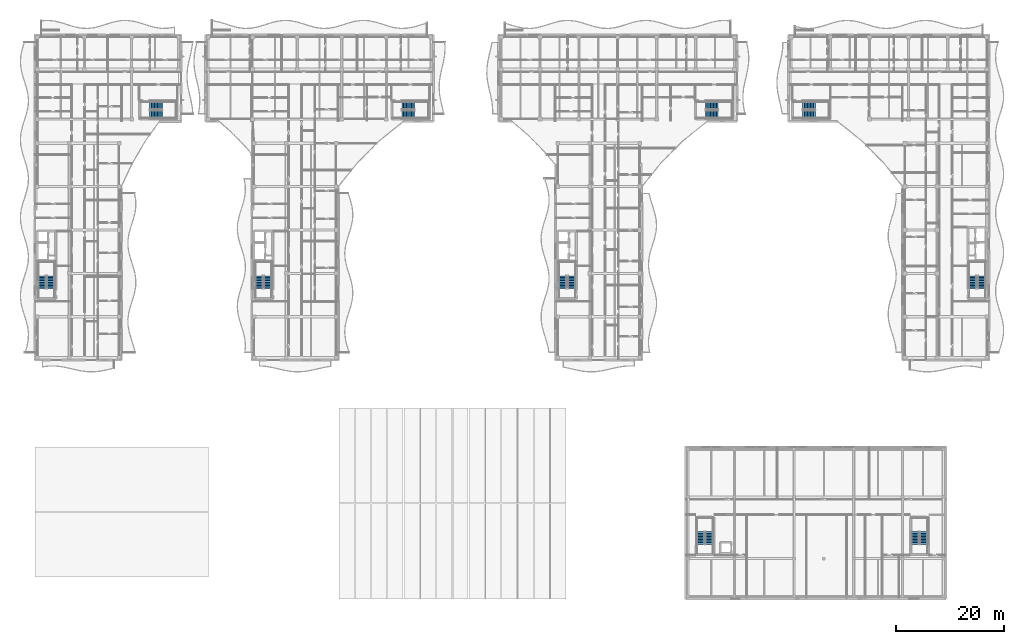
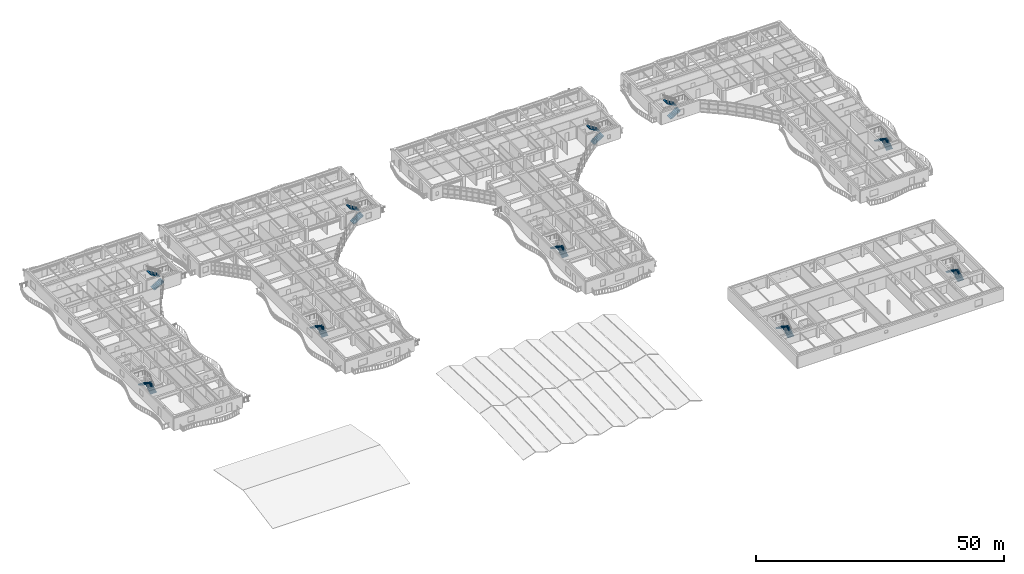
# One storey, part 64 of 89: 20 stair flights, 10 elements without a shape of their own.
"""IFC4 building model written with IfcOpenShell, lengths in metres."""

from ifc_helpers import new_model, si_unit, direction, frame, origin, place, context, subcontext, project, spatial, polyline, outline, extrude, material, type_object, element, aggregate, save


model = new_model("IFC4")

# Units and contexts
model_context = context("Model", 3, precision=1e-05, world=origin(), true_north=direction((0.0, 1.0)))
body_context = subcontext(model_context, "Body", "Model", "MODEL_VIEW")
ifc_project = project(units=[si_unit("LENGTHUNIT", "METRE"), si_unit("AREAUNIT", "SQUARE_METRE"), si_unit("VOLUMEUNIT", "CUBIC_METRE"), si_unit("PLANEANGLEUNIT", "RADIAN"), si_unit("MASSUNIT", "GRAM", prefix="KILO")], contexts=[model_context])

# Site, building, storey
site_placement = place(None, origin())
site = spatial("IfcSite", under=ifc_project, at=site_placement, CompositionType="ELEMENT")
building_placement = place(site_placement, origin())
building = spatial("IfcBuilding", under=site, at=building_placement, Name="Keldmere Railside Commons", CompositionType="ELEMENT")
storey_placement = place(building_placement, frame((0.0, 0.0, 7.360107421875)))
storey = spatial("IfcBuildingStorey", under=building, at=storey_placement, Name="L02", CompositionType="ELEMENT", Elevation=7.360107421875)

# Stair, stair flights
ifc_material = material(Name="Concrete H-30 (C30/37)", Category="concrete")
stair_type_1 = type_object("IfcStairType", Name="Basement Garage Dogleg Escape Stair 1450", PredefinedType="HALF_TURN_STAIR", material=ifc_material)
stair_1_placement = place(storey_placement, origin())
stair_1 = element("IfcStair", 1, at=stair_1_placement, inside=storey, type_object=stair_type_1, Name="L02 Block B Primary Escape Stair 1", PredefinedType="HALF_TURN_STAIR")
stair_flight_type_1 = type_object("IfcStairFlightType", Name="Basement Escape Stair Flight 1450", PredefinedType="STRAIGHT", material=ifc_material)
stair_flight_1_placement = place(storey_placement, frame((106.97509765625, 69.199951171875, 0.0), z_axis=(0.0, 0.0, 1.0), x_axis=(0.0, 1.0, 0.0)))
stair_flight_1 = element("IfcStairFlight", 2, at=stair_flight_1_placement, type_object=stair_flight_type_1, Name="ST-B1 flight 1", NumberOfRisers=9, NumberOfTreads=8, PredefinedType="STRAIGHT", RiserHeight=0.177777778, TreadLength=0.29, context=body_context, shape_type="SweptSolid", body=[
    extrude(outline(polyline([(0.0, 0.0), (0.0, 0.177734375), (0.2900390625, 0.177734375), (0.2900390625, 0.35546875), (0.580078125, 0.35546875), (0.580078125, 0.533447265625), (0.8701171875, 0.533447265625), (0.8701171875, 0.711181640625), (1.159912109375, 0.711181640625), (1.159912109375, 0.888916015625), (1.449951171875, 0.888916015625), (1.449951171875, 1.066650390625), (1.739990234375, 1.066650390625), (1.739990234375, 1.244384765625), (2.030029296875, 1.244384765625), (2.030029296875, 1.422119140625), (2.320068359375, 1.422119140625), (2.320068359375, 1.60009765625), (2.320068359375, 1.211181640625), (0.34423828125, 0.0), (0.0, 0.0)])), frame((0.0, 0.72509765625, 0.0), z_axis=(0.0, -1.0, 0.0), x_axis=(1.0, 0.0, 0.0)), (0.0, 0.0, 1.0), 1.449951171875),
])
stair_flight_2_placement = place(storey_placement, frame((105.375, 71.52001953125, 1.599853515625), z_axis=(0.0, 0.0, 1.0), x_axis=(0.0, -1.0, 0.0)))
stair_flight_2 = element("IfcStairFlight", 3, at=stair_flight_2_placement, type_object=stair_flight_type_1, Name="ST-B1 flight 2", NumberOfRisers=9, NumberOfTreads=8, PredefinedType="STRAIGHT", RiserHeight=0.177777778, TreadLength=0.29, context=body_context, shape_type="SweptSolid", body=[
    extrude(outline(polyline([(0.0, 0.0), (0.0, 0.177734375), (0.2900390625, 0.177734375), (0.2900390625, 0.35546875), (0.580078125, 0.35546875), (0.580078125, 0.533447265625), (0.8701171875, 0.533447265625), (0.8701171875, 0.711181640625), (1.159912109375, 0.711181640625), (1.159912109375, 0.888916015625), (1.449951171875, 0.888916015625), (1.449951171875, 1.066650390625), (1.739990234375, 1.066650390625), (1.739990234375, 1.244384765625), (2.030029296875, 1.244384765625), (2.030029296875, 1.422119140625), (2.320068359375, 1.422119140625), (2.320068359375, 1.60009765625), (2.320068359375, 1.211181640625), (0.34423828125, 0.0), (0.0, 0.0)])), frame((0.0, 0.72509765625, 0.0), z_axis=(0.0, -1.0, 0.0), x_axis=(1.0, 0.0, 0.0)), (0.0, 0.0, 1.0), 1.449951171875),
])
aggregate(stair_1, [stair_flight_1, stair_flight_2])

stair_2_placement = place(storey_placement, origin())
stair_2 = element("IfcStair", 4, at=stair_2_placement, inside=storey, type_object=stair_type_1, Name="L02 Block B Secondary Escape Stair 2", PredefinedType="HALF_TURN_STAIR")
stair_flight_3_placement = place(storey_placement, frame((131.699951171875, 101.324951171875, 0.0), z_axis=(0.0, 0.0, 1.0), x_axis=(1.0, 0.0, 0.0)))
stair_flight_3 = element("IfcStairFlight", 5, at=stair_flight_3_placement, type_object=stair_flight_type_1, Name="ST-B2 flight 1", NumberOfRisers=9, NumberOfTreads=8, PredefinedType="STRAIGHT", RiserHeight=0.177777778, TreadLength=0.29, context=body_context, shape_type="SweptSolid", body=[
    extrude(outline(polyline([(0.0, 0.0), (0.0, 0.177734375), (0.2900390625, 0.177734375), (0.2900390625, 0.35546875), (0.580078125, 0.35546875), (0.580078125, 0.533447265625), (0.8701171875, 0.533447265625), (0.8701171875, 0.711181640625), (1.159912109375, 0.711181640625), (1.159912109375, 0.888916015625), (1.449951171875, 0.888916015625), (1.449951171875, 1.066650390625), (1.739990234375, 1.066650390625), (1.739990234375, 1.244384765625), (2.030029296875, 1.244384765625), (2.030029296875, 1.422119140625), (2.320068359375, 1.422119140625), (2.320068359375, 1.60009765625), (2.320068359375, 1.211181640625), (0.34423828125, 0.0), (0.0, 0.0)])), frame((0.0, 0.72509765625, 0.0), z_axis=(0.0, -1.0, 0.0), x_axis=(1.0, 0.0, 0.0)), (0.0, 0.0, 1.0), 1.449951171875),
])
stair_flight_4_placement = place(storey_placement, frame((134.02001953125, 102.925048828125, 1.599853515625), z_axis=(0.0, 0.0, 1.0), x_axis=(-1.0, 0.0, 0.0)))
stair_flight_4 = element("IfcStairFlight", 6, at=stair_flight_4_placement, type_object=stair_flight_type_1, Name="ST-B2 flight 2", NumberOfRisers=9, NumberOfTreads=8, PredefinedType="STRAIGHT", RiserHeight=0.177777778, TreadLength=0.29, context=body_context, shape_type="SweptSolid", body=[
    extrude(outline(polyline([(0.0, 0.0), (0.0, 0.177734375), (0.2900390625, 0.177734375), (0.2900390625, 0.35546875), (0.580078125, 0.35546875), (0.580078125, 0.533447265625), (0.8701171875, 0.533447265625), (0.8701171875, 0.711181640625), (1.159912109375, 0.711181640625), (1.159912109375, 0.888916015625), (1.449951171875, 0.888916015625), (1.449951171875, 1.066650390625), (1.739990234375, 1.066650390625), (1.739990234375, 1.244384765625), (2.030029296875, 1.244384765625), (2.030029296875, 1.422119140625), (2.320068359375, 1.422119140625), (2.320068359375, 1.60009765625), (2.320068359375, 1.211181640625), (0.34423828125, 0.0), (0.0, 0.0)])), frame((0.0, 0.72509765625, 0.0), z_axis=(0.0, -1.0, 0.0), x_axis=(1.0, 0.0, 0.0)), (0.0, 0.0, 1.0), 1.449951171875),
])
aggregate(stair_2, [stair_flight_3, stair_flight_4])

stair_type_2 = type_object("IfcStairType", Name="Market Arcade Public Dogleg Stair 1420", PredefinedType="HALF_TURN_STAIR", material=ifc_material)
stair_3_placement = place(storey_placement, origin())
stair_3 = element("IfcStair", 7, at=stair_3_placement, inside=storey, type_object=stair_type_2, Name="L02 Market Arcade Escape Stair ST-M1", PredefinedType="HALF_TURN_STAIR")
stair_flight_type_2 = type_object("IfcStairFlightType", Name="Market Arcade Stair Flight 1420", PredefinedType="STRAIGHT", material=ifc_material)
stair_flight_5_placement = place(storey_placement, frame((132.340087890625, 22.050048828125, 0.0), z_axis=(0.0, 0.0, 1.0), x_axis=(0.0, 1.0, 0.0)))
stair_flight_5 = element("IfcStairFlight", 8, at=stair_flight_5_placement, type_object=stair_flight_type_2, Name="ST-M1 flight 1", NumberOfRisers=9, NumberOfTreads=8, PredefinedType="STRAIGHT", RiserHeight=0.177777778, TreadLength=0.29, context=body_context, shape_type="SweptSolid", body=[
    extrude(outline(polyline([(0.0, 0.0), (0.0, 0.177734375), (0.2900390625, 0.177734375), (0.2900390625, 0.35546875), (0.580078125, 0.35546875), (0.580078125, 0.533447265625), (0.8701171875, 0.533447265625), (0.8701171875, 0.711181640625), (1.159912109375, 0.711181640625), (1.159912109375, 0.888916015625), (1.449951171875, 0.888916015625), (1.449951171875, 1.066650390625), (1.739990234375, 1.066650390625), (1.739990234375, 1.244384765625), (2.030029296875, 1.244384765625), (2.030029296875, 1.422119140625), (2.320068359375, 1.422119140625), (2.320068359375, 1.60009765625), (2.320068359375, 1.211181640625), (0.34423828125, 0.0), (0.0, 0.0)])), frame((0.0, 0.7099609375, 0.0), z_axis=(0.0, -1.0, 0.0), x_axis=(1.0, 0.0, 0.0)), (0.0, 0.0, 1.0), 1.419921875),
])
stair_flight_6_placement = place(storey_placement, frame((130.77001953125, 24.3701171875, 1.599853515625), z_axis=(0.0, 0.0, 1.0), x_axis=(0.0, -1.0, 0.0)))
stair_flight_6 = element("IfcStairFlight", 9, at=stair_flight_6_placement, type_object=stair_flight_type_2, Name="ST-M1 flight 2", NumberOfRisers=9, NumberOfTreads=8, PredefinedType="STRAIGHT", RiserHeight=0.177777778, TreadLength=0.29, context=body_context, shape_type="SweptSolid", body=[
    extrude(outline(polyline([(0.0, 0.0), (0.0, 0.177734375), (0.2900390625, 0.177734375), (0.2900390625, 0.35546875), (0.580078125, 0.35546875), (0.580078125, 0.533447265625), (0.8701171875, 0.533447265625), (0.8701171875, 0.711181640625), (1.159912109375, 0.711181640625), (1.159912109375, 0.888916015625), (1.449951171875, 0.888916015625), (1.449951171875, 1.066650390625), (1.739990234375, 1.066650390625), (1.739990234375, 1.244384765625), (2.030029296875, 1.244384765625), (2.030029296875, 1.422119140625), (2.320068359375, 1.422119140625), (2.320068359375, 1.60009765625), (2.320068359375, 1.211181640625), (0.34423828125, 0.0), (0.0, 0.0)])), frame((0.0, 0.7099609375, 0.0), z_axis=(0.0, -1.0, 0.0), x_axis=(1.0, 0.0, 0.0)), (0.0, 0.0, 1.0), 1.419921875),
])
aggregate(stair_3, [stair_flight_5, stair_flight_6])

stair_4_placement = place(storey_placement, origin())
stair_4 = element("IfcStair", 10, at=stair_4_placement, inside=storey, type_object=stair_type_2, Name="L02 Market Arcade Escape Stair ST-M2", PredefinedType="HALF_TURN_STAIR")
stair_flight_7_placement = place(storey_placement, frame((171.93994140625, 22.050048828125, 0.0), z_axis=(0.0, 0.0, 1.0), x_axis=(0.0, 1.0, 0.0)))
stair_flight_7 = element("IfcStairFlight", 11, at=stair_flight_7_placement, type_object=stair_flight_type_2, Name="ST-M2 flight 1", NumberOfRisers=9, NumberOfTreads=8, PredefinedType="STRAIGHT", RiserHeight=0.177777778, TreadLength=0.29, context=body_context, shape_type="SweptSolid", body=[
    extrude(outline(polyline([(0.0, 0.0), (0.0, 0.177734375), (0.2900390625, 0.177734375), (0.2900390625, 0.35546875), (0.580078125, 0.35546875), (0.580078125, 0.533447265625), (0.8701171875, 0.533447265625), (0.8701171875, 0.711181640625), (1.159912109375, 0.711181640625), (1.159912109375, 0.888916015625), (1.449951171875, 0.888916015625), (1.449951171875, 1.066650390625), (1.739990234375, 1.066650390625), (1.739990234375, 1.244384765625), (2.030029296875, 1.244384765625), (2.030029296875, 1.422119140625), (2.320068359375, 1.422119140625), (2.320068359375, 1.60009765625), (2.320068359375, 1.211181640625), (0.34423828125, 0.0), (0.0, 0.0)])), frame((0.0, 0.7099609375, 0.0), z_axis=(0.0, -1.0, 0.0), x_axis=(1.0, 0.0, 0.0)), (0.0, 0.0, 1.0), 1.419921875),
])
stair_flight_8_placement = place(storey_placement, frame((170.3701171875, 24.3701171875, 1.599853515625), z_axis=(0.0, 0.0, 1.0), x_axis=(0.0, -1.0, 0.0)))
stair_flight_8 = element("IfcStairFlight", 12, at=stair_flight_8_placement, type_object=stair_flight_type_2, Name="ST-M2 flight 2", NumberOfRisers=9, NumberOfTreads=8, PredefinedType="STRAIGHT", RiserHeight=0.177777778, TreadLength=0.29, context=body_context, shape_type="SweptSolid", body=[
    extrude(outline(polyline([(0.0, 0.0), (0.0, 0.177734375), (0.2900390625, 0.177734375), (0.2900390625, 0.35546875), (0.580078125, 0.35546875), (0.580078125, 0.533447265625), (0.8701171875, 0.533447265625), (0.8701171875, 0.711181640625), (1.159912109375, 0.711181640625), (1.159912109375, 0.888916015625), (1.449951171875, 0.888916015625), (1.449951171875, 1.066650390625), (1.739990234375, 1.066650390625), (1.739990234375, 1.244384765625), (2.030029296875, 1.244384765625), (2.030029296875, 1.422119140625), (2.320068359375, 1.422119140625), (2.320068359375, 1.60009765625), (2.320068359375, 1.211181640625), (0.34423828125, 0.0), (0.0, 0.0)])), frame((0.0, 0.7099609375, 0.0), z_axis=(0.0, -1.0, 0.0), x_axis=(1.0, 0.0, 0.0)), (0.0, 0.0, 1.0), 1.419921875),
])
aggregate(stair_4, [stair_flight_7, stair_flight_8])

stair_type_3 = type_object("IfcStairType", Name="Residential Core Dogleg Stair 1450", PredefinedType="HALF_TURN_STAIR", material=ifc_material)
stair_5_placement = place(storey_placement, origin())
stair_5 = element("IfcStair", 13, at=stair_5_placement, inside=storey, type_object=stair_type_3, Name="L02 Block D Primary Escape Stair 1", PredefinedType="HALF_TURN_STAIR")
stair_flight_type_3 = type_object("IfcStairFlightType", Name="Residential Core Stair Flight 1450", PredefinedType="STRAIGHT", material=ifc_material)
stair_flight_9_placement = place(storey_placement, frame((10.97509765625, 69.199951171875, 0.0), z_axis=(0.0, 0.0, 1.0), x_axis=(0.0, 1.0, 0.0)))
stair_flight_9 = element("IfcStairFlight", 14, at=stair_flight_9_placement, type_object=stair_flight_type_3, Name="ST-D1 flight 1", NumberOfRisers=9, NumberOfTreads=8, PredefinedType="STRAIGHT", RiserHeight=0.177777778, TreadLength=0.29, context=body_context, shape_type="SweptSolid", body=[
    extrude(outline(polyline([(0.0, 0.0), (0.0, 0.177734375), (0.2900390625, 0.177734375), (0.2900390625, 0.35546875), (0.580078125, 0.35546875), (0.580078125, 0.533447265625), (0.8701171875, 0.533447265625), (0.8701171875, 0.711181640625), (1.159912109375, 0.711181640625), (1.159912109375, 0.888916015625), (1.449951171875, 0.888916015625), (1.449951171875, 1.066650390625), (1.739990234375, 1.066650390625), (1.739990234375, 1.244384765625), (2.030029296875, 1.244384765625), (2.030029296875, 1.422119140625), (2.320068359375, 1.422119140625), (2.320068359375, 1.60009765625), (2.320068359375, 1.211181640625), (0.34423828125, 0.0), (0.0, 0.0)])), frame((0.0, 0.72509765625, 0.0), z_axis=(0.0, -1.0, 0.0), x_axis=(1.0, 0.0, 0.0)), (0.0, 0.0, 1.0), 1.449951171875),
])
stair_flight_10_placement = place(storey_placement, frame((9.375, 71.52001953125, 1.599853515625), z_axis=(0.0, 0.0, 1.0), x_axis=(0.0, -1.0, 0.0)))
stair_flight_10 = element("IfcStairFlight", 15, at=stair_flight_10_placement, type_object=stair_flight_type_3, Name="ST-D1 flight 2", NumberOfRisers=9, NumberOfTreads=8, PredefinedType="STRAIGHT", RiserHeight=0.177777778, TreadLength=0.29, context=body_context, shape_type="SweptSolid", body=[
    extrude(outline(polyline([(0.0, 0.0), (0.0, 0.177734375), (0.2900390625, 0.177734375), (0.2900390625, 0.35546875), (0.580078125, 0.35546875), (0.580078125, 0.533447265625), (0.8701171875, 0.533447265625), (0.8701171875, 0.711181640625), (1.159912109375, 0.711181640625), (1.159912109375, 0.888916015625), (1.449951171875, 0.888916015625), (1.449951171875, 1.066650390625), (1.739990234375, 1.066650390625), (1.739990234375, 1.244384765625), (2.030029296875, 1.244384765625), (2.030029296875, 1.422119140625), (2.320068359375, 1.422119140625), (2.320068359375, 1.60009765625), (2.320068359375, 1.211181640625), (0.34423828125, 0.0), (0.0, 0.0)])), frame((0.0, 0.72509765625, 0.0), z_axis=(0.0, -1.0, 0.0), x_axis=(1.0, 0.0, 0.0)), (0.0, 0.0, 1.0), 1.449951171875),
])
aggregate(stair_5, [stair_flight_9, stair_flight_10])

stair_6_placement = place(storey_placement, origin())
stair_6 = element("IfcStair", 16, at=stair_6_placement, inside=storey, type_object=stair_type_3, Name="L02 Block D Secondary Escape Stair 2", PredefinedType="HALF_TURN_STAIR")
stair_flight_11_placement = place(storey_placement, frame((29.199951171875, 101.324951171875, 0.0), z_axis=(0.0, 0.0, 1.0), x_axis=(1.0, 0.0, 0.0)))
stair_flight_11 = element("IfcStairFlight", 17, at=stair_flight_11_placement, type_object=stair_flight_type_3, Name="ST-D2 flight 1", NumberOfRisers=9, NumberOfTreads=8, PredefinedType="STRAIGHT", RiserHeight=0.177777778, TreadLength=0.29, context=body_context, shape_type="SweptSolid", body=[
    extrude(outline(polyline([(0.0, 0.0), (0.0, 0.177734375), (0.2900390625, 0.177734375), (0.2900390625, 0.35546875), (0.580078125, 0.35546875), (0.580078125, 0.533447265625), (0.8701171875, 0.533447265625), (0.8701171875, 0.711181640625), (1.159912109375, 0.711181640625), (1.159912109375, 0.888916015625), (1.449951171875, 0.888916015625), (1.449951171875, 1.066650390625), (1.739990234375, 1.066650390625), (1.739990234375, 1.244384765625), (2.030029296875, 1.244384765625), (2.030029296875, 1.422119140625), (2.320068359375, 1.422119140625), (2.320068359375, 1.60009765625), (2.320068359375, 1.211181640625), (0.34423828125, 0.0), (0.0, 0.0)])), frame((0.0, 0.72509765625, 0.0), z_axis=(0.0, -1.0, 0.0), x_axis=(1.0, 0.0, 0.0)), (0.0, 0.0, 1.0), 1.449951171875),
])
stair_flight_12_placement = place(storey_placement, frame((31.52001953125, 102.925048828125, 1.599853515625), z_axis=(0.0, 0.0, 1.0), x_axis=(-1.0, 0.0, 0.0)))
stair_flight_12 = element("IfcStairFlight", 18, at=stair_flight_12_placement, type_object=stair_flight_type_3, Name="ST-D2 flight 2", NumberOfRisers=9, NumberOfTreads=8, PredefinedType="STRAIGHT", RiserHeight=0.177777778, TreadLength=0.29, context=body_context, shape_type="SweptSolid", body=[
    extrude(outline(polyline([(0.0, 0.0), (0.0, 0.177734375), (0.2900390625, 0.177734375), (0.2900390625, 0.35546875), (0.580078125, 0.35546875), (0.580078125, 0.533447265625), (0.8701171875, 0.533447265625), (0.8701171875, 0.711181640625), (1.159912109375, 0.711181640625), (1.159912109375, 0.888916015625), (1.449951171875, 0.888916015625), (1.449951171875, 1.066650390625), (1.739990234375, 1.066650390625), (1.739990234375, 1.244384765625), (2.030029296875, 1.244384765625), (2.030029296875, 1.422119140625), (2.320068359375, 1.422119140625), (2.320068359375, 1.60009765625), (2.320068359375, 1.211181640625), (0.34423828125, 0.0), (0.0, 0.0)])), frame((0.0, 0.72509765625, 0.0), z_axis=(0.0, -1.0, 0.0), x_axis=(1.0, 0.0, 0.0)), (0.0, 0.0, 1.0), 1.449951171875),
])
aggregate(stair_6, [stair_flight_11, stair_flight_12])

stair_7_placement = place(storey_placement, origin())
stair_7 = element("IfcStair", 19, at=stair_7_placement, inside=storey, type_object=stair_type_3, Name="L02 Block C Primary Escape Stair 1", PredefinedType="HALF_TURN_STAIR")
stair_flight_13_placement = place(storey_placement, frame((50.97509765625, 69.199951171875, 0.0), z_axis=(0.0, 0.0, 1.0), x_axis=(0.0, 1.0, 0.0)))
stair_flight_13 = element("IfcStairFlight", 20, at=stair_flight_13_placement, type_object=stair_flight_type_3, Name="ST-C1 flight 1", NumberOfRisers=9, NumberOfTreads=8, PredefinedType="STRAIGHT", RiserHeight=0.177777778, TreadLength=0.29, context=body_context, shape_type="SweptSolid", body=[
    extrude(outline(polyline([(0.0, 0.0), (0.0, 0.177734375), (0.2900390625, 0.177734375), (0.2900390625, 0.35546875), (0.580078125, 0.35546875), (0.580078125, 0.533447265625), (0.8701171875, 0.533447265625), (0.8701171875, 0.711181640625), (1.159912109375, 0.711181640625), (1.159912109375, 0.888916015625), (1.449951171875, 0.888916015625), (1.449951171875, 1.066650390625), (1.739990234375, 1.066650390625), (1.739990234375, 1.244384765625), (2.030029296875, 1.244384765625), (2.030029296875, 1.422119140625), (2.320068359375, 1.422119140625), (2.320068359375, 1.60009765625), (2.320068359375, 1.211181640625), (0.34423828125, 0.0), (0.0, 0.0)])), frame((0.0, 0.72509765625, 0.0), z_axis=(0.0, -1.0, 0.0), x_axis=(1.0, 0.0, 0.0)), (0.0, 0.0, 1.0), 1.449951171875),
])
stair_flight_14_placement = place(storey_placement, frame((49.375, 71.52001953125, 1.599853515625), z_axis=(0.0, 0.0, 1.0), x_axis=(0.0, -1.0, 0.0)))
stair_flight_14 = element("IfcStairFlight", 21, at=stair_flight_14_placement, type_object=stair_flight_type_3, Name="ST-C1 flight 2", NumberOfRisers=9, NumberOfTreads=8, PredefinedType="STRAIGHT", RiserHeight=0.177777778, TreadLength=0.29, context=body_context, shape_type="SweptSolid", body=[
    extrude(outline(polyline([(0.0, 0.0), (0.0, 0.177734375), (0.2900390625, 0.177734375), (0.2900390625, 0.35546875), (0.580078125, 0.35546875), (0.580078125, 0.533447265625), (0.8701171875, 0.533447265625), (0.8701171875, 0.711181640625), (1.159912109375, 0.711181640625), (1.159912109375, 0.888916015625), (1.449951171875, 0.888916015625), (1.449951171875, 1.066650390625), (1.739990234375, 1.066650390625), (1.739990234375, 1.244384765625), (2.030029296875, 1.244384765625), (2.030029296875, 1.422119140625), (2.320068359375, 1.422119140625), (2.320068359375, 1.60009765625), (2.320068359375, 1.211181640625), (0.34423828125, 0.0), (0.0, 0.0)])), frame((0.0, 0.72509765625, 0.0), z_axis=(0.0, -1.0, 0.0), x_axis=(1.0, 0.0, 0.0)), (0.0, 0.0, 1.0), 1.449951171875),
])
aggregate(stair_7, [stair_flight_13, stair_flight_14])

stair_8_placement = place(storey_placement, origin())
stair_8 = element("IfcStair", 22, at=stair_8_placement, inside=storey, type_object=stair_type_3, Name="L02 Block C Secondary Escape Stair 2", PredefinedType="HALF_TURN_STAIR")
stair_flight_15_placement = place(storey_placement, frame((75.699951171875, 101.324951171875, 0.0), z_axis=(0.0, 0.0, 1.0), x_axis=(1.0, 0.0, 0.0)))
stair_flight_15 = element("IfcStairFlight", 23, at=stair_flight_15_placement, type_object=stair_flight_type_3, Name="ST-C2 flight 1", NumberOfRisers=9, NumberOfTreads=8, PredefinedType="STRAIGHT", RiserHeight=0.177777778, TreadLength=0.29, context=body_context, shape_type="SweptSolid", body=[
    extrude(outline(polyline([(0.0, 0.0), (0.0, 0.177734375), (0.2900390625, 0.177734375), (0.2900390625, 0.35546875), (0.580078125, 0.35546875), (0.580078125, 0.533447265625), (0.8701171875, 0.533447265625), (0.8701171875, 0.711181640625), (1.159912109375, 0.711181640625), (1.159912109375, 0.888916015625), (1.449951171875, 0.888916015625), (1.449951171875, 1.066650390625), (1.739990234375, 1.066650390625), (1.739990234375, 1.244384765625), (2.030029296875, 1.244384765625), (2.030029296875, 1.422119140625), (2.320068359375, 1.422119140625), (2.320068359375, 1.60009765625), (2.320068359375, 1.211181640625), (0.34423828125, 0.0), (0.0, 0.0)])), frame((0.0, 0.72509765625, 0.0), z_axis=(0.0, -1.0, 0.0), x_axis=(1.0, 0.0, 0.0)), (0.0, 0.0, 1.0), 1.449951171875),
])
stair_flight_16_placement = place(storey_placement, frame((78.02001953125, 102.925048828125, 1.599853515625), z_axis=(0.0, 0.0, 1.0), x_axis=(-1.0, 0.0, 0.0)))
stair_flight_16 = element("IfcStairFlight", 24, at=stair_flight_16_placement, type_object=stair_flight_type_3, Name="ST-C2 flight 2", NumberOfRisers=9, NumberOfTreads=8, PredefinedType="STRAIGHT", RiserHeight=0.177777778, TreadLength=0.29, context=body_context, shape_type="SweptSolid", body=[
    extrude(outline(polyline([(0.0, 0.0), (0.0, 0.177734375), (0.2900390625, 0.177734375), (0.2900390625, 0.35546875), (0.580078125, 0.35546875), (0.580078125, 0.533447265625), (0.8701171875, 0.533447265625), (0.8701171875, 0.711181640625), (1.159912109375, 0.711181640625), (1.159912109375, 0.888916015625), (1.449951171875, 0.888916015625), (1.449951171875, 1.066650390625), (1.739990234375, 1.066650390625), (1.739990234375, 1.244384765625), (2.030029296875, 1.244384765625), (2.030029296875, 1.422119140625), (2.320068359375, 1.422119140625), (2.320068359375, 1.60009765625), (2.320068359375, 1.211181640625), (0.34423828125, 0.0), (0.0, 0.0)])), frame((0.0, 0.72509765625, 0.0), z_axis=(0.0, -1.0, 0.0), x_axis=(1.0, 0.0, 0.0)), (0.0, 0.0, 1.0), 1.449951171875),
])
aggregate(stair_8, [stair_flight_15, stair_flight_16])

stair_9_placement = place(storey_placement, origin())
stair_9 = element("IfcStair", 25, at=stair_9_placement, inside=storey, type_object=stair_type_3, Name="L02 Block A Primary Escape Stair 1", PredefinedType="HALF_TURN_STAIR")
stair_flight_17_placement = place(storey_placement, frame((182.574951171875, 69.199951171875, 0.0), z_axis=(0.0, 0.0, 1.0), x_axis=(0.0, 1.0, 0.0)))
stair_flight_17 = element("IfcStairFlight", 26, at=stair_flight_17_placement, type_object=stair_flight_type_3, Name="ST-A1 flight 1", NumberOfRisers=9, NumberOfTreads=8, PredefinedType="STRAIGHT", RiserHeight=0.177777778, TreadLength=0.29, context=body_context, shape_type="SweptSolid", body=[
    extrude(outline(polyline([(0.0, 0.0), (0.0, 0.177734375), (0.2900390625, 0.177734375), (0.2900390625, 0.35546875), (0.580078125, 0.35546875), (0.580078125, 0.533447265625), (0.8701171875, 0.533447265625), (0.8701171875, 0.711181640625), (1.159912109375, 0.711181640625), (1.159912109375, 0.888916015625), (1.449951171875, 0.888916015625), (1.449951171875, 1.066650390625), (1.739990234375, 1.066650390625), (1.739990234375, 1.244384765625), (2.030029296875, 1.244384765625), (2.030029296875, 1.422119140625), (2.320068359375, 1.422119140625), (2.320068359375, 1.60009765625), (2.320068359375, 1.211181640625), (0.34423828125, 0.0), (0.0, 0.0)])), frame((0.0, 0.72509765625, 0.0), z_axis=(0.0, -1.0, 0.0), x_axis=(1.0, 0.0, 0.0)), (0.0, 0.0, 1.0), 1.449951171875),
])
stair_flight_18_placement = place(storey_placement, frame((180.97509765625, 71.52001953125, 1.599853515625), z_axis=(0.0, 0.0, 1.0), x_axis=(0.0, -1.0, 0.0)))
stair_flight_18 = element("IfcStairFlight", 27, at=stair_flight_18_placement, type_object=stair_flight_type_3, Name="ST-A1 flight 2", NumberOfRisers=9, NumberOfTreads=8, PredefinedType="STRAIGHT", RiserHeight=0.177777778, TreadLength=0.29, context=body_context, shape_type="SweptSolid", body=[
    extrude(outline(polyline([(0.0, 0.0), (0.0, 0.177734375), (0.2900390625, 0.177734375), (0.2900390625, 0.35546875), (0.580078125, 0.35546875), (0.580078125, 0.533447265625), (0.8701171875, 0.533447265625), (0.8701171875, 0.711181640625), (1.159912109375, 0.711181640625), (1.159912109375, 0.888916015625), (1.449951171875, 0.888916015625), (1.449951171875, 1.066650390625), (1.739990234375, 1.066650390625), (1.739990234375, 1.244384765625), (2.030029296875, 1.244384765625), (2.030029296875, 1.422119140625), (2.320068359375, 1.422119140625), (2.320068359375, 1.60009765625), (2.320068359375, 1.211181640625), (0.34423828125, 0.0), (0.0, 0.0)])), frame((0.0, 0.72509765625, 0.0), z_axis=(0.0, -1.0, 0.0), x_axis=(1.0, 0.0, 0.0)), (0.0, 0.0, 1.0), 1.449951171875),
])
aggregate(stair_9, [stair_flight_17, stair_flight_18])

stair_10_placement = place(storey_placement, origin())
stair_10 = element("IfcStair", 28, at=stair_10_placement, inside=storey, type_object=stair_type_3, Name="L02 Block A Secondary Escape Stair 2", PredefinedType="HALF_TURN_STAIR")
stair_flight_19_placement = place(storey_placement, frame((149.60009765625, 101.324951171875, 0.0), z_axis=(0.0, 0.0, 1.0), x_axis=(1.0, 0.0, 0.0)))
stair_flight_19 = element("IfcStairFlight", 29, at=stair_flight_19_placement, type_object=stair_flight_type_3, Name="ST-A2 flight 1", NumberOfRisers=9, NumberOfTreads=8, PredefinedType="STRAIGHT", RiserHeight=0.177777778, TreadLength=0.29, context=body_context, shape_type="SweptSolid", body=[
    extrude(outline(polyline([(0.0, 0.0), (0.0, 0.177734375), (0.2900390625, 0.177734375), (0.2900390625, 0.35546875), (0.580078125, 0.35546875), (0.580078125, 0.533447265625), (0.8701171875, 0.533447265625), (0.8701171875, 0.711181640625), (1.159912109375, 0.711181640625), (1.159912109375, 0.888916015625), (1.449951171875, 0.888916015625), (1.449951171875, 1.066650390625), (1.739990234375, 1.066650390625), (1.739990234375, 1.244384765625), (2.030029296875, 1.244384765625), (2.030029296875, 1.422119140625), (2.320068359375, 1.422119140625), (2.320068359375, 1.60009765625), (2.320068359375, 1.211181640625), (0.34423828125, 0.0), (0.0, 0.0)])), frame((0.0, 0.72509765625, 0.0), z_axis=(0.0, -1.0, 0.0), x_axis=(1.0, 0.0, 0.0)), (0.0, 0.0, 1.0), 1.449951171875),
])
stair_flight_20_placement = place(storey_placement, frame((151.919921875, 102.925048828125, 1.599853515625), z_axis=(0.0, 0.0, 1.0), x_axis=(-1.0, 0.0, 0.0)))
stair_flight_20 = element("IfcStairFlight", 30, at=stair_flight_20_placement, type_object=stair_flight_type_3, Name="ST-A2 flight 2", NumberOfRisers=9, NumberOfTreads=8, PredefinedType="STRAIGHT", RiserHeight=0.177777778, TreadLength=0.29, context=body_context, shape_type="SweptSolid", body=[
    extrude(outline(polyline([(0.0, 0.0), (0.0, 0.177734375), (0.2900390625, 0.177734375), (0.2900390625, 0.35546875), (0.580078125, 0.35546875), (0.580078125, 0.533447265625), (0.8701171875, 0.533447265625), (0.8701171875, 0.711181640625), (1.159912109375, 0.711181640625), (1.159912109375, 0.888916015625), (1.449951171875, 0.888916015625), (1.449951171875, 1.066650390625), (1.739990234375, 1.066650390625), (1.739990234375, 1.244384765625), (2.030029296875, 1.244384765625), (2.030029296875, 1.422119140625), (2.320068359375, 1.422119140625), (2.320068359375, 1.60009765625), (2.320068359375, 1.211181640625), (0.34423828125, 0.0), (0.0, 0.0)])), frame((0.0, 0.72509765625, 0.0), z_axis=(0.0, -1.0, 0.0), x_axis=(1.0, 0.0, 0.0)), (0.0, 0.0, 1.0), 1.449951171875),
])
aggregate(stair_10, [stair_flight_19, stair_flight_20])

save(model, "model.ifc")
